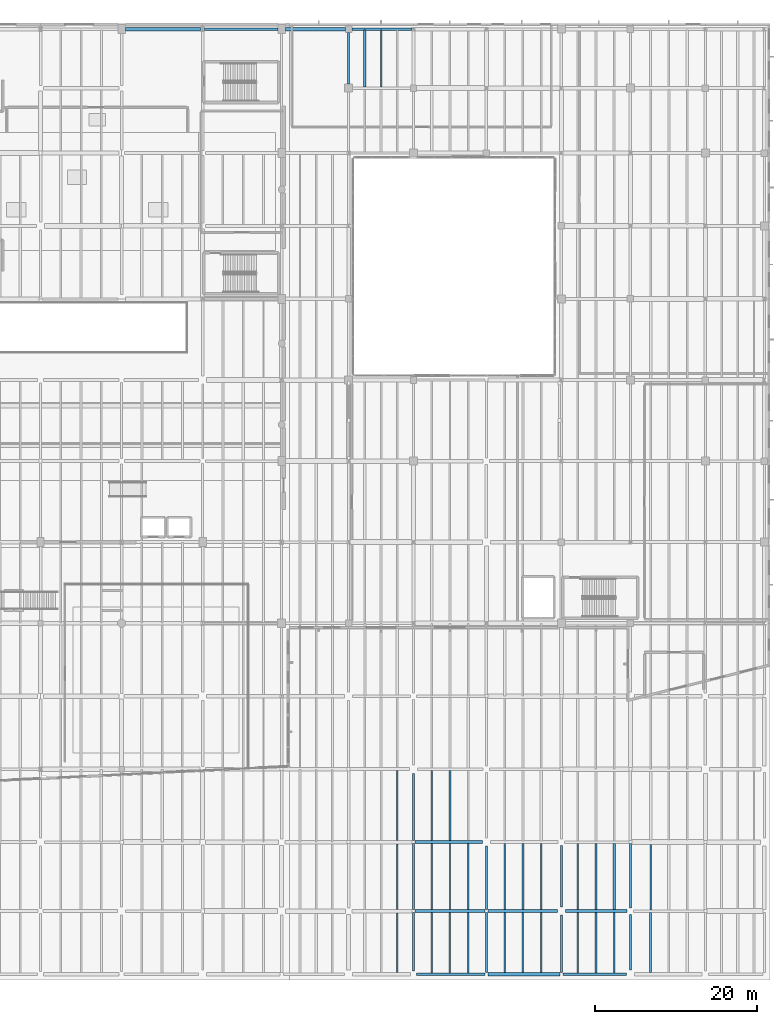
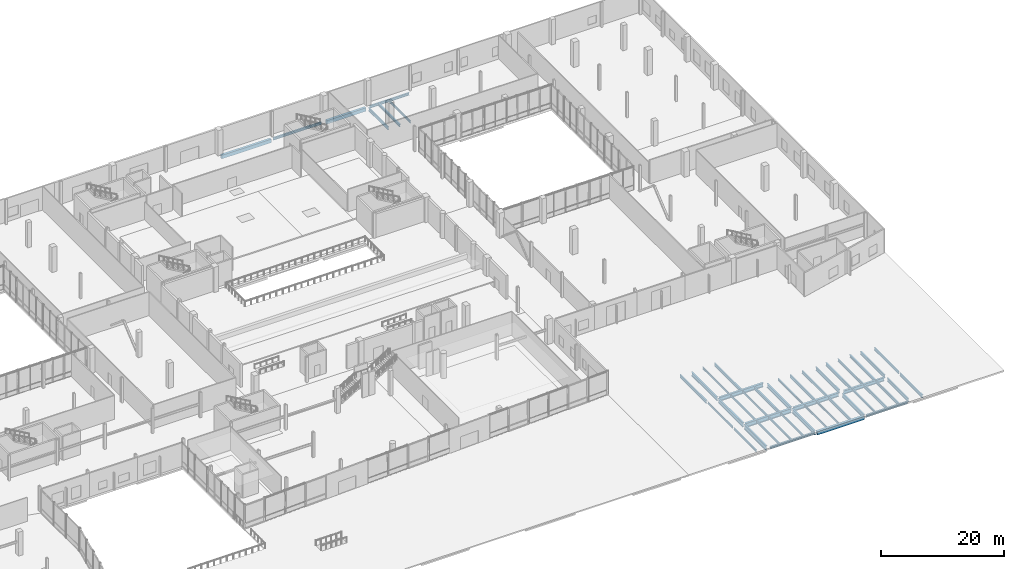
# One storey, part 49 of 88: 48 beams.
"""IFC4 building model written with IfcOpenShell, lengths in metres."""

from ifc_helpers import new_model, si_unit, direction, frame, origin, origin_2d, place, context, subcontext, project, spatial, rectangle, i_section, extrude, material, material_profile, profile_set, type_object, element, save


model = new_model("IFC4")

# Units and contexts
model_context = context("Model", 3, precision=1e-05, world=origin(), true_north=direction((0.0, 1.0)))
body_context = subcontext(model_context, "Body", "Model", "MODEL_VIEW")
ifc_project = project(units=[si_unit("LENGTHUNIT", "METRE"), si_unit("AREAUNIT", "SQUARE_METRE"), si_unit("VOLUMEUNIT", "CUBIC_METRE"), si_unit("PLANEANGLEUNIT", "RADIAN"), si_unit("MASSUNIT", "GRAM", prefix="KILO")], contexts=[model_context])

# Site, building, storey
site_placement = place(None, origin())
site = spatial("IfcSite", under=ifc_project, at=site_placement, CompositionType="ELEMENT")
building_placement = place(site_placement, origin())
building = spatial("IfcBuilding", under=site, at=building_placement, Name="Trimount Lyric Opera House", CompositionType="ELEMENT")
storey_placement = place(building_placement, origin())
storey = spatial("IfcBuildingStorey", under=building, at=storey_placement, Name="L00", CompositionType="ELEMENT", Elevation=0.0)

# Beams
ifc_material_1 = material(Name="Steel ASTM A992 Grade 50", Category="steel")
ifc_material_profile_1 = material_profile(ifc_material_1, i_section(OverallWidth=0.304931640625, OverallDepth=0.9189453125, WebThickness=0.017333984375, FlangeThickness=0.02783203125, FilletRadius=0.02001953125, at=origin_2d()), Name="W36X170")
ifc_profile_set_1 = profile_set([ifc_material_profile_1], Name="Steel ASTM A992 Grade 50")
beam_type_1 = type_object("IfcBeamType", Name="B-03", PredefinedType="BEAM", material=ifc_profile_set_1)
beam_1_placement = place(storey_placement, frame((130.0, 1.1201171875, -0.759521484375), z_axis=(0.0, 1.0, 0.0), x_axis=(-1.0, 0.0, 0.0)))
element("IfcBeam", 1, at=beam_1_placement, inside=storey, type_object=beam_type_1, Name="L00 girder Y-0394", PredefinedType="BEAM", context=body_context, shape_type="SweptSolid", body=[
    extrude(i_section(OverallWidth=0.304931640625, OverallDepth=0.9189453125, WebThickness=0.017333984375, FlangeThickness=0.02783203125, FilletRadius=0.02001953125, at=origin_2d()), origin(), (0.0, 0.0, 1.0), 7.19580078125),
])
ifc_material_2 = material(Name="Steel ASTM A992 Grade 50", Category="steel")
ifc_material_profile_2 = material_profile(ifc_material_2, i_section(OverallWidth=0.40087890625, OverallDepth=0.861083984375, WebThickness=0.019775390625, FlangeThickness=0.032470703125, FilletRadius=0.02001953125, at=origin_2d()), Name="W33X221")
ifc_profile_set_2 = profile_set([ifc_material_profile_2], Name="Steel ASTM A992 Grade 50")
beam_type_2 = type_object("IfcBeamType", Name="B-04", PredefinedType="BEAM", material=ifc_profile_set_2)
beam_2_placement = place(storey_placement, frame((130.1865234375, 8.5, -0.73046875), z_axis=(1.0, 0.0, 0.0), x_axis=(0.0, 1.0, 0.0)))
element("IfcBeam", 2, at=beam_2_placement, inside=storey, type_object=beam_type_2, Name="L00 girder X-0034", PredefinedType="BEAM", context=body_context, shape_type="SweptSolid", body=[
    extrude(i_section(OverallWidth=0.40087890625, OverallDepth=0.861083984375, WebThickness=0.019775390625, FlangeThickness=0.032470703125, FilletRadius=0.02001953125, at=origin_2d()), origin(), (0.0, 0.0, 1.0), 8.614013671875),
])
ifc_material_3 = material(Name="Steel ASTM A992 Grade 50", Category="steel")
ifc_material_profile_3 = material_profile(ifc_material_3, i_section(OverallWidth=0.2919921875, OverallDepth=0.845947265625, WebThickness=0.015380859375, FlangeThickness=0.0244140625, FilletRadius=0.01806640625, at=origin_2d()), Name="W33X141")
ifc_profile_set_3 = profile_set([ifc_material_profile_3], Name="Steel ASTM A992 Grade 50")
beam_type_3 = type_object("IfcBeamType", Name="B-05", PredefinedType="BEAM", material=ifc_profile_set_3)
beam_3_placement = place(storey_placement, frame((130.0, 8.68408203125, -0.722900390625), z_axis=(0.0, 1.0, 0.0), x_axis=(-1.0, 0.0, 0.0)))
element("IfcBeam", 3, at=beam_3_placement, inside=storey, type_object=beam_type_3, Name="L00 girder Y-0395", PredefinedType="BEAM", context=body_context, shape_type="SweptSolid", body=[
    extrude(i_section(OverallWidth=0.2919921875, OverallDepth=0.845947265625, WebThickness=0.015380859375, FlangeThickness=0.0244140625, FilletRadius=0.01806640625, at=origin_2d()), origin(), (0.0, 0.0, 1.0), 8.122802734375),
])
beam_4_placement = place(storey_placement, frame((139.0, 0.904052734375, -0.722900390625), z_axis=(0.0, 1.0, 0.0), x_axis=(-1.0, 0.0, 0.0)))
element("IfcBeam", 4, at=beam_4_placement, inside=storey, type_object=beam_type_3, Name="L00 girder Y-0404", PredefinedType="BEAM", context=body_context, shape_type="SweptSolid", body=[
    extrude(i_section(OverallWidth=0.2919921875, OverallDepth=0.845947265625, WebThickness=0.015380859375, FlangeThickness=0.0244140625, FilletRadius=0.01806640625, at=origin_2d()), origin(), (0.0, 0.0, 1.0), 7.40283203125),
])
ifc_material_4 = material(Name="Steel ASTM A992 Grade 50", Category="steel")
ifc_material_profile_4 = material_profile(ifc_material_4, i_section(OverallWidth=0.382080078125, OverallDepth=0.779052734375, WebThickness=0.01806640625, FlangeThickness=0.0302734375, FilletRadius=0.01904296875, at=origin_2d()), Name="W30X191")
ifc_profile_set_4 = profile_set([ifc_material_profile_4], Name="Steel ASTM A992 Grade 50")
beam_type_4 = type_object("IfcBeamType", Name="B-06", PredefinedType="BEAM", material=ifc_profile_set_4)
beam_5_placement = place(storey_placement, frame((139.199462890625, 8.5, -0.689453125), z_axis=(1.0, 0.0, 0.0), x_axis=(0.0, 1.0, 0.0)))
element("IfcBeam", 5, at=beam_5_placement, inside=storey, type_object=beam_type_4, Name="L00 girder X-0035", PredefinedType="BEAM", context=body_context, shape_type="SweptSolid", body=[
    extrude(i_section(OverallWidth=0.382080078125, OverallDepth=0.779052734375, WebThickness=0.01806640625, FlangeThickness=0.0302734375, FilletRadius=0.01904296875, at=origin_2d()), origin(), (0.0, 0.0, 1.0), 8.54052734375),
])
beam_6_placement = place(storey_placement, frame((130.199462890625, 17.0, -0.689453125), z_axis=(1.0, 0.0, 0.0), x_axis=(0.0, 1.0, 0.0)))
element("IfcBeam", 6, at=beam_6_placement, inside=storey, type_object=beam_type_4, Name="L00 girder X-0049", PredefinedType="BEAM", context=body_context, shape_type="SweptSolid", body=[
    extrude(i_section(OverallWidth=0.382080078125, OverallDepth=0.779052734375, WebThickness=0.01806640625, FlangeThickness=0.0302734375, FilletRadius=0.01904296875, at=origin_2d()), origin(), (0.0, 0.0, 1.0), 8.300537109375),
])
ifc_material_5 = material(Name="Steel ASTM A992 Grade 50", Category="steel")
ifc_material_profile_5 = material_profile(ifc_material_5, i_section(OverallWidth=0.26708984375, OverallDepth=0.761962890625, WebThickness=0.014404296875, FlangeThickness=0.021484375, FilletRadius=0.01708984375, at=origin_2d()), Name="W30X116")
ifc_profile_set_5 = profile_set([ifc_material_profile_5], Name="Steel ASTM A992 Grade 50")
beam_type_5 = type_object("IfcBeamType", Name="B-07", PredefinedType="BEAM", material=ifc_profile_set_5)
beam_7_placement = place(storey_placement, frame((130.0, 17.193115234375, -0.680908203125), z_axis=(0.0, 1.0, 0.0), x_axis=(-1.0, 0.0, 0.0)))
element("IfcBeam", 7, at=beam_7_placement, inside=storey, type_object=beam_type_5, Name="L00 girder Y-0396", PredefinedType="BEAM", context=body_context, shape_type="SweptSolid", body=[
    extrude(i_section(OverallWidth=0.26708984375, OverallDepth=0.761962890625, WebThickness=0.014404296875, FlangeThickness=0.021484375, FilletRadius=0.01708984375, at=origin_2d()), origin(), (0.0, 0.0, 1.0), 8.306884765625),
])
beam_8_placement = place(storey_placement, frame((139.0, 8.693115234375, -0.680908203125), z_axis=(0.0, 1.0, 0.0), x_axis=(-1.0, 0.0, 0.0)))
element("IfcBeam", 8, at=beam_8_placement, inside=storey, type_object=beam_type_5, Name="L00 girder Y-0405", PredefinedType="BEAM", context=body_context, shape_type="SweptSolid", body=[
    extrude(i_section(OverallWidth=0.26708984375, OverallDepth=0.761962890625, WebThickness=0.014404296875, FlangeThickness=0.021484375, FilletRadius=0.01708984375, at=origin_2d()), origin(), (0.0, 0.0, 1.0), 7.806884765625),
])
beam_9_placement = place(storey_placement, frame((148.239990234375, 0.9130859375, -0.680908203125), z_axis=(0.0, 1.0, 0.0), x_axis=(-1.0, 0.0, 0.0)))
element("IfcBeam", 9, at=beam_9_placement, inside=storey, type_object=beam_type_5, Name="L00 girder Y-0414", PredefinedType="BEAM", context=body_context, shape_type="SweptSolid", body=[
    extrude(i_section(OverallWidth=0.26708984375, OverallDepth=0.761962890625, WebThickness=0.014404296875, FlangeThickness=0.021484375, FilletRadius=0.01708984375, at=origin_2d()), origin(), (0.0, 0.0, 1.0), 7.0869140625),
])
ifc_material_6 = material(Name="Steel ASTM A992 Grade 50", Category="steel")
ifc_material_profile_6 = material_profile(ifc_material_6, i_section(OverallWidth=0.35595703125, OverallDepth=0.700927734375, WebThickness=0.016845703125, FlangeThickness=0.02734375, FilletRadius=0.01806640625, at=origin_2d()), Name="W27X161")
ifc_profile_set_6 = profile_set([ifc_material_profile_6], Name="Steel ASTM A992 Grade 50")
beam_type_6 = type_object("IfcBeamType", Name="B-08", PredefinedType="BEAM", material=ifc_profile_set_6)
beam_10_placement = place(storey_placement, frame((148.739990234375, 8.5, -0.650390625), z_axis=(1.0, 0.0, 0.0), x_axis=(0.0, 1.0, 0.0)))
element("IfcBeam", 10, at=beam_10_placement, inside=storey, type_object=beam_type_6, Name="L00 girder X-0036", PredefinedType="BEAM", context=body_context, shape_type="SweptSolid", body=[
    extrude(i_section(OverallWidth=0.35595703125, OverallDepth=0.700927734375, WebThickness=0.016845703125, FlangeThickness=0.02734375, FilletRadius=0.01806640625, at=origin_2d()), origin(), (0.0, 0.0, 1.0), 7.6201171875),
])
ifc_material_7 = material(Name="Steel ASTM A992 Grade 50", Category="steel")
ifc_material_profile_7 = material_profile(ifc_material_7, i_section(OverallWidth=0.25390625, OverallDepth=0.68798828125, WebThickness=0.01318359375, FlangeThickness=0.02099609375, FilletRadius=0.01611328125, at=origin_2d()), Name="W27X102")
ifc_profile_set_7 = profile_set([ifc_material_profile_7], Name="Steel ASTM A992 Grade 50")
beam_type_7 = type_object("IfcBeamType", Name="B-09", PredefinedType="BEAM", material=ifc_profile_set_7)
beam_11_placement = place(storey_placement, frame((148.239990234375, 9.0, -0.64404296875), z_axis=(0.0, 1.0, 0.0), x_axis=(-1.0, 0.0, 0.0)))
element("IfcBeam", 11, at=beam_11_placement, inside=storey, type_object=beam_type_7, Name="L00 girder Y-0415", PredefinedType="BEAM", context=body_context, shape_type="SweptSolid", body=[
    extrude(i_section(OverallWidth=0.25390625, OverallDepth=0.68798828125, WebThickness=0.01318359375, FlangeThickness=0.02099609375, FilletRadius=0.01611328125, at=origin_2d()), origin(), (0.0, 0.0, 1.0), 7.60009765625),
])
beam_12_placement = place(storey_placement, frame((156.760009765625, 1.219970703125, -0.64404296875), z_axis=(0.0, 1.0, 0.0), x_axis=(-1.0, 0.0, 0.0)))
element("IfcBeam", 12, at=beam_12_placement, inside=storey, type_object=beam_type_7, Name="L00 girder Y-0427", PredefinedType="BEAM", context=body_context, shape_type="SweptSolid", body=[
    extrude(i_section(OverallWidth=0.25390625, OverallDepth=0.68798828125, WebThickness=0.01318359375, FlangeThickness=0.02099609375, FilletRadius=0.01611328125, at=origin_2d()), origin(), (0.0, 0.0, 1.0), 6.880126953125),
])
ifc_material_8 = material(Name="Steel ASTM A992 Grade 50", Category="steel")
ifc_material_profile_8 = material_profile(ifc_material_8, i_section(OverallWidth=0.22998046875, OverallDepth=0.616943359375, WebThickness=0.01318359375, FlangeThickness=0.022216796875, FilletRadius=0.013916015625, at=origin_2d()), Name="W24X94")
ifc_profile_set_8 = profile_set([ifc_material_profile_8], Name="Steel ASTM A992 Grade 50")
beam_type_8 = type_object("IfcBeamType", Name="B-11", PredefinedType="BEAM", material=ifc_profile_set_8)
beam_13_placement = place(storey_placement, frame((122.0, 110.5, -0.6884765625), z_axis=(0.0, 1.0, 0.0), x_axis=(-1.0, 0.0, 0.0)))
element("IfcBeam", 13, at=beam_13_placement, inside=storey, type_object=beam_type_8, Name="L00 girder Y-0393", PredefinedType="BEAM", context=body_context, shape_type="SweptSolid", body=[
    extrude(i_section(OverallWidth=0.22998046875, OverallDepth=0.616943359375, WebThickness=0.01318359375, FlangeThickness=0.022216796875, FilletRadius=0.013916015625, at=origin_2d()), origin(), (0.0, 0.0, 1.0), 6.3798828125),
])
beam_14_placement = place(storey_placement, frame((156.760009765625, 8.89990234375, -0.6083984375), z_axis=(0.0, 1.0, 0.0), x_axis=(-1.0, 0.0, 0.0)))
element("IfcBeam", 14, at=beam_14_placement, inside=storey, type_object=beam_type_8, Name="L00 girder Y-0428", PredefinedType="BEAM", context=body_context, shape_type="SweptSolid", body=[
    extrude(i_section(OverallWidth=0.22998046875, OverallDepth=0.616943359375, WebThickness=0.01318359375, FlangeThickness=0.022216796875, FilletRadius=0.013916015625, at=origin_2d()), origin(), (0.0, 0.0, 1.0), 7.916015625),
])
ifc_material_9 = material(Name="Steel ASTM A992 Grade 50", Category="steel")
ifc_material_profile_9 = material_profile(ifc_material_9, i_section(OverallWidth=0.22802734375, OverallDepth=0.60205078125, WebThickness=0.010498046875, FlangeThickness=0.014892578125, FilletRadius=0.012939453125, at=origin_2d()), Name="W24X68")
ifc_profile_set_9 = profile_set([ifc_material_profile_9], Name="Steel ASTM A992 Grade 50")
beam_type_9 = type_object("IfcBeamType", Name="J-01", PredefinedType="BEAM", material=ifc_profile_set_9)
beam_15_placement = place(storey_placement, frame((128.0, 17.196533203125, -0.60107421875), z_axis=(0.0, 1.0, 0.0), x_axis=(-1.0, 0.0, 0.0)))
element("IfcBeam", 15, at=beam_15_placement, inside=storey, type_object=beam_type_9, Name="L00 composite floor joist 0377", PredefinedType="BEAM", context=body_context, shape_type="SweptSolid", body=[
    extrude(i_section(OverallWidth=0.22802734375, OverallDepth=0.60205078125, WebThickness=0.010498046875, FlangeThickness=0.014892578125, FilletRadius=0.012939453125, at=origin_2d()), origin(), (0.0, 0.0, 1.0), 8.616455078125),
])
beam_16_placement = place(storey_placement, frame((136.75, 8.696533203125, -0.60107421875), z_axis=(0.0, 1.0, 0.0), x_axis=(-1.0, 0.0, 0.0)))
element("IfcBeam", 16, at=beam_16_placement, inside=storey, type_object=beam_type_9, Name="L00 composite floor joist 0404", PredefinedType="BEAM", context=body_context, shape_type="SweptSolid", body=[
    extrude(i_section(OverallWidth=0.22802734375, OverallDepth=0.60205078125, WebThickness=0.010498046875, FlangeThickness=0.014892578125, FilletRadius=0.012939453125, at=origin_2d()), origin(), (0.0, 0.0, 1.0), 8.116455078125),
])
beam_17_placement = place(storey_placement, frame((134.5, 17.18701171875, -0.60107421875), z_axis=(0.0, 1.0, 0.0), x_axis=(-1.0, 0.0, 0.0)))
element("IfcBeam", 17, at=beam_17_placement, inside=storey, type_object=beam_type_9, Name="L00 composite floor joist 0406", PredefinedType="BEAM", context=body_context, shape_type="SweptSolid", body=[
    extrude(i_section(OverallWidth=0.22802734375, OverallDepth=0.60205078125, WebThickness=0.010498046875, FlangeThickness=0.014892578125, FilletRadius=0.012939453125, at=origin_2d()), origin(), (0.0, 0.0, 1.0), 8.638916015625),
])
beam_18_placement = place(storey_placement, frame((145.75, 0.94091796875, -0.60107421875), z_axis=(0.0, 1.0, 0.0), x_axis=(-1.0, 0.0, 0.0)))
element("IfcBeam", 18, at=beam_18_placement, inside=storey, type_object=beam_type_9, Name="L00 composite floor joist 0431", PredefinedType="BEAM", context=body_context, shape_type="SweptSolid", body=[
    extrude(i_section(OverallWidth=0.22802734375, OverallDepth=0.60205078125, WebThickness=0.010498046875, FlangeThickness=0.014892578125, FilletRadius=0.012939453125, at=origin_2d()), origin(), (0.0, 0.0, 1.0), 7.3720703125),
])
beam_19_placement = place(storey_placement, frame((143.5, 8.68701171875, -0.60107421875), z_axis=(0.0, 1.0, 0.0), x_axis=(-1.0, 0.0, 0.0)))
element("IfcBeam", 19, at=beam_19_placement, inside=storey, type_object=beam_type_9, Name="L00 composite floor joist 0433", PredefinedType="BEAM", context=body_context, shape_type="SweptSolid", body=[
    extrude(i_section(OverallWidth=0.22802734375, OverallDepth=0.60205078125, WebThickness=0.010498046875, FlangeThickness=0.014892578125, FilletRadius=0.012939453125, at=origin_2d()), origin(), (0.0, 0.0, 1.0), 8.138916015625),
])
beam_20_placement = place(storey_placement, frame((152.5, 0.85693359375, -0.60107421875), z_axis=(0.0, 1.0, 0.0), x_axis=(-1.0, 0.0, 0.0)))
element("IfcBeam", 20, at=beam_20_placement, inside=storey, type_object=beam_type_9, Name="L00 composite floor joist 0459", PredefinedType="BEAM", context=body_context, shape_type="SweptSolid", body=[
    extrude(i_section(OverallWidth=0.22802734375, OverallDepth=0.60205078125, WebThickness=0.010498046875, FlangeThickness=0.014892578125, FilletRadius=0.012939453125, at=origin_2d()), origin(), (0.0, 0.0, 1.0), 7.468994140625),
])
beam_21_placement = place(storey_placement, frame((150.25, 8.674072265625, -0.60107421875), z_axis=(0.0, 1.0, 0.0), x_axis=(-1.0, 0.0, 0.0)))
element("IfcBeam", 21, at=beam_21_placement, inside=storey, type_object=beam_type_9, Name="L00 composite floor joist 0461", PredefinedType="BEAM", context=body_context, shape_type="SweptSolid", body=[
    extrude(i_section(OverallWidth=0.22802734375, OverallDepth=0.60205078125, WebThickness=0.010498046875, FlangeThickness=0.014892578125, FilletRadius=0.012939453125, at=origin_2d()), origin(), (0.0, 0.0, 1.0), 8.166015625),
])
beam_22_placement = place(storey_placement, frame((159.25, 0.94091796875, -0.60107421875), z_axis=(0.0, 1.0, 0.0), x_axis=(-1.0, 0.0, 0.0)))
element("IfcBeam", 22, at=beam_22_placement, inside=storey, type_object=beam_type_9, Name="L00 composite floor joist 0494", PredefinedType="BEAM", context=body_context, shape_type="SweptSolid", body=[
    extrude(i_section(OverallWidth=0.22802734375, OverallDepth=0.60205078125, WebThickness=0.010498046875, FlangeThickness=0.014892578125, FilletRadius=0.012939453125, at=origin_2d()), origin(), (0.0, 0.0, 1.0), 7.399169921875),
])
ifc_material_10 = material(Name="Steel ASTM A992 Grade 50", Category="steel")
ifc_material_profile_10 = material_profile(ifc_material_10, i_section(OverallWidth=0.2099609375, OverallDepth=0.532958984375, WebThickness=0.01025390625, FlangeThickness=0.015625, FilletRadius=0.012939453125, at=origin_2d()), Name="W21X62")
ifc_profile_set_10 = profile_set([ifc_material_profile_10], Name="Steel ASTM A992 Grade 50")
beam_type_10 = type_object("IfcBeamType", Name="J-02", PredefinedType="BEAM", material=ifc_profile_set_10)
beam_23_placement = place(storey_placement, frame((145.75, 8.68701171875, -0.56640625), z_axis=(0.0, 1.0, 0.0), x_axis=(-1.0, 0.0, 0.0)))
element("IfcBeam", 23, at=beam_23_placement, inside=storey, type_object=beam_type_10, Name="L00 composite floor joist 0434", PredefinedType="BEAM", context=body_context, shape_type="SweptSolid", body=[
    extrude(i_section(OverallWidth=0.2099609375, OverallDepth=0.532958984375, WebThickness=0.01025390625, FlangeThickness=0.015625, FilletRadius=0.012939453125, at=origin_2d()), origin(), (0.0, 0.0, 1.0), 8.138916015625),
])
beam_24_placement = place(storey_placement, frame((154.75, 0.85693359375, -0.56640625), z_axis=(0.0, 1.0, 0.0), x_axis=(-1.0, 0.0, 0.0)))
element("IfcBeam", 24, at=beam_24_placement, inside=storey, type_object=beam_type_10, Name="L00 composite floor joist 0460", PredefinedType="BEAM", context=body_context, shape_type="SweptSolid", body=[
    extrude(i_section(OverallWidth=0.2099609375, OverallDepth=0.532958984375, WebThickness=0.01025390625, FlangeThickness=0.015625, FilletRadius=0.012939453125, at=origin_2d()), origin(), (0.0, 0.0, 1.0), 7.468994140625),
])
beam_25_placement = place(storey_placement, frame((152.5, 8.674072265625, -0.56640625), z_axis=(0.0, 1.0, 0.0), x_axis=(-1.0, 0.0, 0.0)))
element("IfcBeam", 25, at=beam_25_placement, inside=storey, type_object=beam_type_10, Name="L00 composite floor joist 0462", PredefinedType="BEAM", context=body_context, shape_type="SweptSolid", body=[
    extrude(i_section(OverallWidth=0.2099609375, OverallDepth=0.532958984375, WebThickness=0.01025390625, FlangeThickness=0.015625, FilletRadius=0.012939453125, at=origin_2d()), origin(), (0.0, 0.0, 1.0), 8.166015625),
])
beam_26_placement = place(storey_placement, frame((159.25, 8.659912109375, -0.56640625), z_axis=(0.0, 1.0, 0.0), x_axis=(-1.0, 0.0, 0.0)))
element("IfcBeam", 26, at=beam_26_placement, inside=storey, type_object=beam_type_10, Name="L00 composite floor joist 0497", PredefinedType="BEAM", context=body_context, shape_type="SweptSolid", body=[
    extrude(i_section(OverallWidth=0.2099609375, OverallDepth=0.532958984375, WebThickness=0.01025390625, FlangeThickness=0.015625, FilletRadius=0.012939453125, at=origin_2d()), origin(), (0.0, 0.0, 1.0), 8.044189453125),
])
ifc_material_11 = material(Name="Steel ASTM A992 Grade 50", Category="steel")
ifc_material_profile_11 = material_profile(ifc_material_11, i_section(OverallWidth=0.281982421875, OverallDepth=0.467041015625, WebThickness=0.01220703125, FlangeThickness=0.01953125, FilletRadius=0.012939453125, at=origin_2d()), Name="W18X86")
ifc_profile_set_11 = profile_set([ifc_material_profile_11], Name="Steel ASTM A992 Grade 50")
beam_type_11 = type_object("IfcBeamType", Name="J-03", PredefinedType="BEAM", material=ifc_profile_set_11)
beam_27_placement = place(storey_placement, frame((124.0, 110.159912109375, -0.613525390625), z_axis=(0.0, 1.0, 0.0), x_axis=(-1.0, 0.0, 0.0)))
element("IfcBeam", 27, at=beam_27_placement, inside=storey, type_object=beam_type_11, Name="L00 composite floor joist 0396", PredefinedType="BEAM", context=body_context, shape_type="SweptSolid", body=[
    extrude(i_section(OverallWidth=0.281982421875, OverallDepth=0.467041015625, WebThickness=0.01220703125, FlangeThickness=0.01953125, FilletRadius=0.012939453125, at=origin_2d()), origin(), (0.0, 0.0, 1.0), 6.983154296875),
])
beam_28_placement = place(storey_placement, frame((154.75, 8.674072265625, -0.533447265625), z_axis=(0.0, 1.0, 0.0), x_axis=(-1.0, 0.0, 0.0)))
element("IfcBeam", 28, at=beam_28_placement, inside=storey, type_object=beam_type_11, Name="L00 composite floor joist 0463", PredefinedType="BEAM", context=body_context, shape_type="SweptSolid", body=[
    extrude(i_section(OverallWidth=0.281982421875, OverallDepth=0.467041015625, WebThickness=0.01220703125, FlangeThickness=0.01953125, FilletRadius=0.012939453125, at=origin_2d()), origin(), (0.0, 0.0, 1.0), 8.166015625),
])
ifc_material_12 = material(Name="Steel ASTM A992 Grade 50", Category="steel")
ifc_material_profile_12 = material_profile(ifc_material_12, i_section(OverallWidth=0.19091796875, OverallDepth=0.45703125, WebThickness=0.009033203125, FlangeThickness=0.014404296875, FilletRadius=0.010986328125, at=origin_2d()), Name="W18X50")
ifc_profile_set_12 = profile_set([ifc_material_profile_12], Name="Steel ASTM A992 Grade 50")
beam_type_12 = type_object("IfcBeamType", Name="J-04", PredefinedType="BEAM", material=ifc_profile_set_12)
beam_29_placement = place(storey_placement, frame((126.0, 110.159912109375, -0.6083984375), z_axis=(0.0, 1.0, 0.0), x_axis=(-1.0, 0.0, 0.0)))
element("IfcBeam", 29, at=beam_29_placement, inside=storey, type_object=beam_type_12, Name="L00 composite floor joist 0397", PredefinedType="BEAM", context=body_context, shape_type="SweptSolid", body=[
    extrude(i_section(OverallWidth=0.19091796875, OverallDepth=0.45703125, WebThickness=0.009033203125, FlangeThickness=0.014404296875, FilletRadius=0.010986328125, at=origin_2d()), origin(), (0.0, 0.0, 1.0), 6.983154296875),
])
beam_30_placement = place(storey_placement, frame((132.25, 0.85693359375, -0.528564453125), z_axis=(0.0, 1.0, 0.0), x_axis=(-1.0, 0.0, 0.0)))
element("IfcBeam", 30, at=beam_30_placement, inside=storey, type_object=beam_type_12, Name="L00 composite floor joist 0399", PredefinedType="BEAM", context=body_context, shape_type="SweptSolid", body=[
    extrude(i_section(OverallWidth=0.19091796875, OverallDepth=0.45703125, WebThickness=0.009033203125, FlangeThickness=0.014404296875, FilletRadius=0.010986328125, at=origin_2d()), origin(), (0.0, 0.0, 1.0), 7.446533203125),
])
ifc_material_13 = material(Name="Steel ASTM A992 Grade 50", Category="steel")
ifc_material_profile_13 = material_profile(ifc_material_13, i_section(OverallWidth=0.180908203125, OverallDepth=0.4169921875, WebThickness=0.010986328125, FlangeThickness=0.018310546875, FilletRadius=0.010986328125, at=origin_2d()), Name="W16X57")
ifc_profile_set_13 = profile_set([ifc_material_profile_13], Name="Steel ASTM A992 Grade 50")
beam_type_13 = type_object("IfcBeamType", Name="J-05", PredefinedType="BEAM", material=ifc_profile_set_13)
beam_31_placement = place(storey_placement, frame((128.0, 0.94091796875, -0.508544921875), z_axis=(0.0, 1.0, 0.0), x_axis=(-1.0, 0.0, 0.0)))
element("IfcBeam", 31, at=beam_31_placement, inside=storey, type_object=beam_type_13, Name="L00 composite floor joist 0371", PredefinedType="BEAM", context=body_context, shape_type="SweptSolid", body=[
    extrude(i_section(OverallWidth=0.180908203125, OverallDepth=0.4169921875, WebThickness=0.010986328125, FlangeThickness=0.018310546875, FilletRadius=0.010986328125, at=origin_2d()), origin(), (0.0, 0.0, 1.0), 7.353515625),
])
beam_32_placement = place(storey_placement, frame((134.5, 0.85693359375, -0.508544921875), z_axis=(0.0, 1.0, 0.0), x_axis=(-1.0, 0.0, 0.0)))
element("IfcBeam", 32, at=beam_32_placement, inside=storey, type_object=beam_type_13, Name="L00 composite floor joist 0400", PredefinedType="BEAM", context=body_context, shape_type="SweptSolid", body=[
    extrude(i_section(OverallWidth=0.180908203125, OverallDepth=0.4169921875, WebThickness=0.010986328125, FlangeThickness=0.018310546875, FilletRadius=0.010986328125, at=origin_2d()), origin(), (0.0, 0.0, 1.0), 7.446533203125),
])
beam_33_placement = place(storey_placement, frame((132.25, 8.696533203125, -0.508544921875), z_axis=(0.0, 1.0, 0.0), x_axis=(-1.0, 0.0, 0.0)))
element("IfcBeam", 33, at=beam_33_placement, inside=storey, type_object=beam_type_13, Name="L00 composite floor joist 0402", PredefinedType="BEAM", context=body_context, shape_type="SweptSolid", body=[
    extrude(i_section(OverallWidth=0.180908203125, OverallDepth=0.4169921875, WebThickness=0.010986328125, FlangeThickness=0.018310546875, FilletRadius=0.010986328125, at=origin_2d()), origin(), (0.0, 0.0, 1.0), 8.116455078125),
])
beam_34_placement = place(storey_placement, frame((141.25, 0.94091796875, -0.508544921875), z_axis=(0.0, 1.0, 0.0), x_axis=(-1.0, 0.0, 0.0)))
element("IfcBeam", 34, at=beam_34_placement, inside=storey, type_object=beam_type_13, Name="L00 composite floor joist 0429", PredefinedType="BEAM", context=body_context, shape_type="SweptSolid", body=[
    extrude(i_section(OverallWidth=0.180908203125, OverallDepth=0.4169921875, WebThickness=0.010986328125, FlangeThickness=0.018310546875, FilletRadius=0.010986328125, at=origin_2d()), origin(), (0.0, 0.0, 1.0), 7.3720703125),
])
ifc_material_14 = material(Name="Steel ASTM A992 Grade 50", Category="steel")
ifc_material_profile_14 = material_profile(ifc_material_14, i_section(OverallWidth=0.177978515625, OverallDepth=0.404052734375, WebThickness=0.007568359375, FlangeThickness=0.010986328125, FilletRadius=0.010009765625, at=origin_2d()), Name="W16X36")
ifc_profile_set_14 = profile_set([ifc_material_profile_14], Name="Steel ASTM A992 Grade 50")
beam_type_14 = type_object("IfcBeamType", Name="J-06", PredefinedType="BEAM", material=ifc_profile_set_14)
beam_35_placement = place(storey_placement, frame((128.0, 8.70556640625, -0.501953125), z_axis=(0.0, 1.0, 0.0), x_axis=(-1.0, 0.0, 0.0)))
element("IfcBeam", 35, at=beam_35_placement, inside=storey, type_object=beam_type_14, Name="L00 composite floor joist 0374", PredefinedType="BEAM", context=body_context, shape_type="SweptSolid", body=[
    extrude(i_section(OverallWidth=0.177978515625, OverallDepth=0.404052734375, WebThickness=0.007568359375, FlangeThickness=0.010986328125, FilletRadius=0.010009765625, at=origin_2d()), origin(), (0.0, 0.0, 1.0), 8.097900390625),
])
beam_36_placement = place(storey_placement, frame((136.75, 0.85693359375, -0.501953125), z_axis=(0.0, 1.0, 0.0), x_axis=(-1.0, 0.0, 0.0)))
element("IfcBeam", 36, at=beam_36_placement, inside=storey, type_object=beam_type_14, Name="L00 composite floor joist 0401", PredefinedType="BEAM", context=body_context, shape_type="SweptSolid", body=[
    extrude(i_section(OverallWidth=0.177978515625, OverallDepth=0.404052734375, WebThickness=0.007568359375, FlangeThickness=0.010986328125, FilletRadius=0.010009765625, at=origin_2d()), origin(), (0.0, 0.0, 1.0), 7.446533203125),
])
beam_37_placement = place(storey_placement, frame((134.5, 8.696533203125, -0.501953125), z_axis=(0.0, 1.0, 0.0), x_axis=(-1.0, 0.0, 0.0)))
element("IfcBeam", 37, at=beam_37_placement, inside=storey, type_object=beam_type_14, Name="L00 composite floor joist 0403", PredefinedType="BEAM", context=body_context, shape_type="SweptSolid", body=[
    extrude(i_section(OverallWidth=0.177978515625, OverallDepth=0.404052734375, WebThickness=0.007568359375, FlangeThickness=0.010986328125, FilletRadius=0.010009765625, at=origin_2d()), origin(), (0.0, 0.0, 1.0), 8.116455078125),
])
beam_38_placement = place(storey_placement, frame((132.25, 17.18701171875, -0.501953125), z_axis=(0.0, 1.0, 0.0), x_axis=(-1.0, 0.0, 0.0)))
element("IfcBeam", 38, at=beam_38_placement, inside=storey, type_object=beam_type_14, Name="L00 composite floor joist 0405", PredefinedType="BEAM", context=body_context, shape_type="SweptSolid", body=[
    extrude(i_section(OverallWidth=0.177978515625, OverallDepth=0.404052734375, WebThickness=0.007568359375, FlangeThickness=0.010986328125, FilletRadius=0.010009765625, at=origin_2d()), origin(), (0.0, 0.0, 1.0), 8.638916015625),
])
beam_39_placement = place(storey_placement, frame((143.5, 0.94091796875, -0.501953125), z_axis=(0.0, 1.0, 0.0), x_axis=(-1.0, 0.0, 0.0)))
element("IfcBeam", 39, at=beam_39_placement, inside=storey, type_object=beam_type_14, Name="L00 composite floor joist 0430", PredefinedType="BEAM", context=body_context, shape_type="SweptSolid", body=[
    extrude(i_section(OverallWidth=0.177978515625, OverallDepth=0.404052734375, WebThickness=0.007568359375, FlangeThickness=0.010986328125, FilletRadius=0.010009765625, at=origin_2d()), origin(), (0.0, 0.0, 1.0), 7.3720703125),
])
beam_40_placement = place(storey_placement, frame((141.25, 8.68701171875, -0.501953125), z_axis=(0.0, 1.0, 0.0), x_axis=(-1.0, 0.0, 0.0)))
element("IfcBeam", 40, at=beam_40_placement, inside=storey, type_object=beam_type_14, Name="L00 composite floor joist 0432", PredefinedType="BEAM", context=body_context, shape_type="SweptSolid", body=[
    extrude(i_section(OverallWidth=0.177978515625, OverallDepth=0.404052734375, WebThickness=0.007568359375, FlangeThickness=0.010986328125, FilletRadius=0.010009765625, at=origin_2d()), origin(), (0.0, 0.0, 1.0), 8.138916015625),
])
beam_41_placement = place(storey_placement, frame((150.25, 0.85693359375, -0.501953125), z_axis=(0.0, 1.0, 0.0), x_axis=(-1.0, 0.0, 0.0)))
element("IfcBeam", 41, at=beam_41_placement, inside=storey, type_object=beam_type_14, Name="L00 composite floor joist 0458", PredefinedType="BEAM", context=body_context, shape_type="SweptSolid", body=[
    extrude(i_section(OverallWidth=0.177978515625, OverallDepth=0.404052734375, WebThickness=0.007568359375, FlangeThickness=0.010986328125, FilletRadius=0.010009765625, at=origin_2d()), origin(), (0.0, 0.0, 1.0), 7.468994140625),
])
ifc_material_15 = material(Name="Steel ASTM A992 Grade 50", Category="steel")
ifc_material_profile_15 = material_profile(ifc_material_15, i_section(OverallWidth=0.281982421875, OverallDepth=0.467041015625, WebThickness=0.01220703125, FlangeThickness=0.01953125, FilletRadius=0.012939453125, at=origin_2d()), Name="W18X86")
ifc_profile_set_15 = profile_set([ifc_material_profile_15], Name="Steel ASTM A992 Grade 50")
beam_type_15 = type_object("IfcBeamType", Name="SP-01", PredefinedType="SPANDREL", material=ifc_profile_set_15)
beam_42_placement = place(storey_placement, frame((130.39990234375, 0.719970703125, -0.533447265625), z_axis=(1.0, 0.0, 0.0), x_axis=(0.0, 1.0, 0.0)))
element("IfcBeam", 42, at=beam_42_placement, inside=storey, type_object=beam_type_15, Name="L00 girder X-0015", PredefinedType="SPANDREL", context=body_context, shape_type="SweptSolid", body=[
    extrude(i_section(OverallWidth=0.281982421875, OverallDepth=0.467041015625, WebThickness=0.01220703125, FlangeThickness=0.01953125, FilletRadius=0.012939453125, at=origin_2d()), origin(), (0.0, 0.0, 1.0), 8.41357421875),
])
beam_43_placement = place(storey_placement, frame((148.439453125, 0.719970703125, -0.533447265625), z_axis=(1.0, 0.0, 0.0), x_axis=(0.0, 1.0, 0.0)))
element("IfcBeam", 43, at=beam_43_placement, inside=storey, type_object=beam_type_15, Name="L00 girder X-0017", PredefinedType="SPANDREL", context=body_context, shape_type="SweptSolid", body=[
    extrude(i_section(OverallWidth=0.281982421875, OverallDepth=0.467041015625, WebThickness=0.01220703125, FlangeThickness=0.01953125, FilletRadius=0.012939453125, at=origin_2d()), origin(), (0.0, 0.0, 1.0), 7.820556640625),
])
beam_44_placement = place(storey_placement, frame((104.2109375, 117.280029296875, -0.633544921875), z_axis=(1.0, 0.0, 0.0), x_axis=(0.0, 1.0, 0.0)))
element("IfcBeam", 44, at=beam_44_placement, inside=storey, type_object=beam_type_15, Name="L00 girder X-0229", PredefinedType="SPANDREL", context=body_context, shape_type="SweptSolid", body=[
    extrude(i_section(OverallWidth=0.281982421875, OverallDepth=0.467041015625, WebThickness=0.01220703125, FlangeThickness=0.01953125, FilletRadius=0.012939453125, at=origin_2d()), origin(), (0.0, 0.0, 1.0), 9.0791015625),
])
beam_45_placement = place(storey_placement, frame((122.39990234375, 117.280029296875, -0.613525390625), z_axis=(1.0, 0.0, 0.0), x_axis=(0.0, 1.0, 0.0)))
element("IfcBeam", 45, at=beam_45_placement, inside=storey, type_object=beam_type_15, Name="L00 girder X-0231", PredefinedType="SPANDREL", context=body_context, shape_type="SweptSolid", body=[
    extrude(i_section(OverallWidth=0.281982421875, OverallDepth=0.467041015625, WebThickness=0.01220703125, FlangeThickness=0.01953125, FilletRadius=0.012939453125, at=origin_2d()), origin(), (0.0, 0.0, 1.0), 7.41357421875),
])
ifc_material_16 = material(Name="Concrete C40/50", Category="concrete")
ifc_material_profile_16 = material_profile(ifc_material_16, rectangle(XDim=0.449951171875, YDim=0.699951171875, at=origin_2d()), Name="RC450X700")
ifc_profile_set_16 = profile_set([ifc_material_profile_16], Name="Concrete C40/50")
beam_type_16 = type_object("IfcBeamType", Name="SP-02", PredefinedType="SPANDREL", material=ifc_profile_set_16)
beam_46_placement = place(storey_placement, frame((139.1865234375, 0.719970703125, -0.64990234375), z_axis=(1.0, 0.0, 0.0), x_axis=(0.0, 1.0, 0.0)))
element("IfcBeam", 46, at=beam_46_placement, inside=storey, type_object=beam_type_16, Name="L00 girder X-0016", PredefinedType="SPANDREL", context=body_context, shape_type="SweptSolid", body=[
    extrude(rectangle(XDim=0.449951171875, YDim=0.699951171875, at=origin_2d()), origin(), (0.0, 0.0, 1.0), 8.85400390625),
])
beam_47_placement = place(storey_placement, frame((94.449951171875, 117.280029296875, -0.75), z_axis=(1.0, 0.0, 0.0), x_axis=(0.0, 1.0, 0.0)))
element("IfcBeam", 47, at=beam_47_placement, inside=storey, type_object=beam_type_16, Name="L00 girder X-0228", PredefinedType="SPANDREL", context=body_context, shape_type="SweptSolid", body=[
    extrude(rectangle(XDim=0.449951171875, YDim=0.699951171875, at=origin_2d()), origin(), (0.0, 0.0, 1.0), 9.339111328125),
])
beam_48_placement = place(storey_placement, frame((114.18994140625, 117.280029296875, -0.75), z_axis=(1.0, 0.0, 0.0), x_axis=(0.0, 1.0, 0.0)))
element("IfcBeam", 48, at=beam_48_placement, inside=storey, type_object=beam_type_16, Name="L00 girder X-0230", PredefinedType="SPANDREL", context=body_context, shape_type="SweptSolid", body=[
    extrude(rectangle(XDim=0.449951171875, YDim=0.699951171875, at=origin_2d()), origin(), (0.0, 0.0, 1.0), 7.41015625),
])

save(model, "model.ifc")
